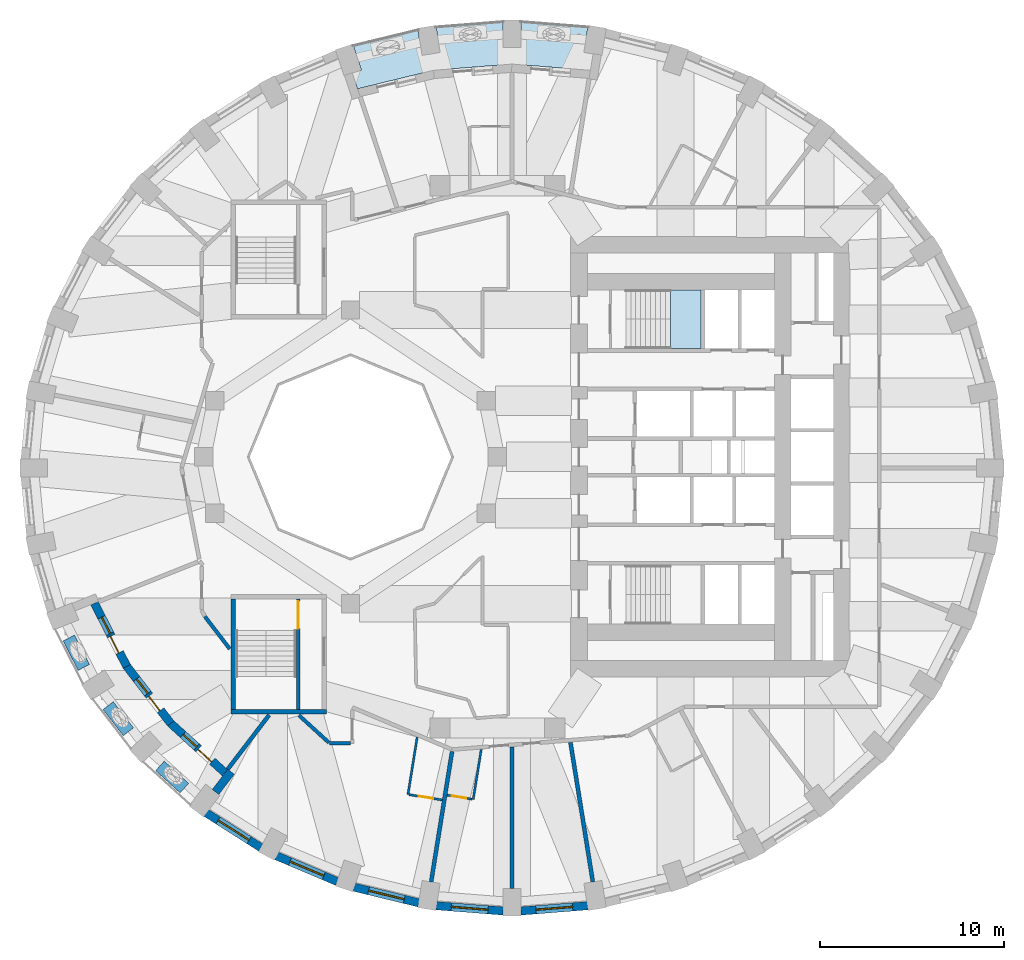
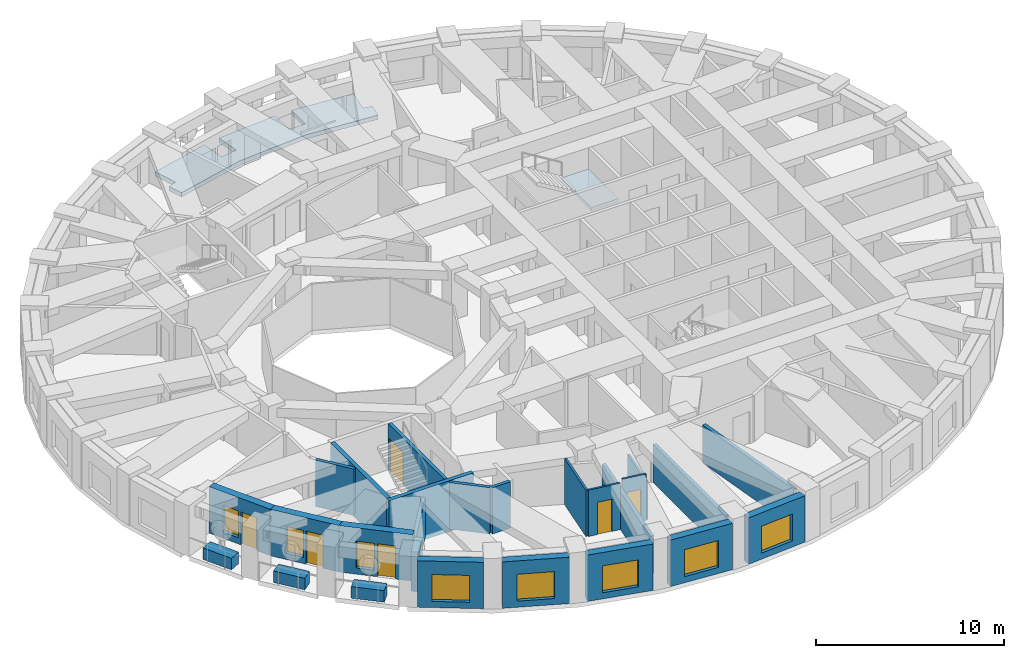
# One storey, part 3 of 12: 26 walls, 8 windows, 6 doors, 2 slabs, 14 openings, 1 element without a shape of its own.
"""IFC4 building model written with IfcOpenShell, lengths in metres."""

from ifc_helpers import new_model, si_unit, direction, frame, frame_2d, origin, place, context, subcontext, project, spatial, polyline, rectangle, outline, extrude, material, layer, layer_set, constituent, constituent_set, type_object, element, fill, aggregate, save


model = new_model("IFC4")

# Units and contexts
model_context = context("Model", 3, precision=1e-05, world=origin(), true_north=direction((0.0, 1.0)))
body_context = subcontext(model_context, "Body", "Model", "MODEL_VIEW")
ifc_project = project(units=[si_unit("LENGTHUNIT", "METRE"), si_unit("AREAUNIT", "SQUARE_METRE"), si_unit("VOLUMEUNIT", "CUBIC_METRE"), si_unit("PLANEANGLEUNIT", "RADIAN"), si_unit("MASSUNIT", "GRAM", prefix="KILO")], contexts=[model_context])

# Site, building, storey
site_placement = place(None, origin())
site = spatial("IfcSite", under=ifc_project, at=site_placement, CompositionType="ELEMENT")
building_placement = place(site_placement, origin())
building = spatial("IfcBuilding", under=site, at=building_placement, Name="Taillehof Tower", CompositionType="ELEMENT")
storey_placement = place(building_placement, frame((0.0, 0.0, 88.89990234375)))
storey = spatial("IfcBuildingStorey", under=building, at=storey_placement, Name="L24", CompositionType="ELEMENT", Elevation=88.89990234375)

# Slab
ifc_material_1 = material(Name="Concrete C40/50", Category="concrete")
ifc_layer_1 = layer(ifc_material_1, 0.280029296875)
ifc_layer_set_1 = layer_set([ifc_layer_1], Name="Balcony slab 280")
slab_type_1 = type_object("IfcSlabType", Name="Balcony slab 280", PredefinedType="USERDEFINED", material=ifc_layer_set_1)
slab_1_placement = place(storey_placement, frame((0.0, 0.0, -0.27978515625)))
element("IfcSlab", 1, at=slab_1_placement, inside=storey, type_object=slab_type_1, Name="Balcony L24 pocket 2", ObjectType="BALCONY", PredefinedType="USERDEFINED", context=body_context, shape_type="SweptSolid", body=[
    extrude(outline(polyline([(-7.611328125, 20.05029296875), (-7.894287109375, 20.905029296875), (-7.399169921875, 21.069091796875), (-7.857666015625, 22.45263671875), (-4.329833984375, 23.313232421875), (-4.098388671875, 21.870849609375), (-3.111083984375, 22.029541015625), (-3.34228515625, 23.469970703125), (0.300048828125, 23.76025390625), (0.300048828125, 22.300048828125), (1.300048828125, 22.300048828125), (1.300048828125, 23.76025390625), (4.942138671875, 23.469970703125), (4.7109375, 22.029541015625), (5.216064453125, 21.9482421875), (5.0732421875, 21.0595703125), (0.800048828125, 21.39990234375), (-3.473388671875, 21.0595703125), (-7.611328125, 20.05029296875)])), origin(), (0.0, 0.0, 1.0), 0.27978515625),
])

# Stair, slab
ifc_material_2 = material(Name="Concrete C40/50", Category="concrete")
stair_type = type_object("IfcStairType", Name="Exit stair half-turn", PredefinedType="HALF_TURN_STAIR", material=ifc_material_2)
stair_placement = place(storey_placement, origin())
stair = element("IfcStair", 2, at=stair_placement, inside=storey, type_object=stair_type, Name="Exit stair S1", PredefinedType="HALF_TURN_STAIR")
ifc_material_3 = material(Name="Concrete C40/50", Category="concrete")
ifc_layer_2 = layer(ifc_material_3, 0.2099609375)
ifc_layer_set_2 = layer_set([ifc_layer_2], Name="Stair landing C40/50 210")
slab_type_2 = type_object("IfcSlabType", Name="Stair landing C40/50 210", PredefinedType="LANDING", material=ifc_layer_set_2)
slab_2_placement = place(storey_placement, frame((0.0, 0.0, 1.440185546875)))
slab_2 = element("IfcSlab", 3, at=slab_2_placement, type_object=slab_type_2, Name="S1 landing 1", PredefinedType="LANDING", context=body_context, shape_type="SweptSolid", body=[
    extrude(outline(polyline([(9.429931640625, 5.89990234375), (11.10009765625, 5.89990234375), (11.10009765625, 9.10009765625), (9.429931640625, 9.10009765625), (9.429931640625, 5.89990234375)])), origin(), (0.0, 0.0, 1.0), 0.2099609375),
])
aggregate(stair, [slab_2])

# Wall, opening, window
ifc_material_4 = material(Name="Brick masonry", Category="masonry")
ifc_layer_3 = layer(ifc_material_4, 0.449951171875)
ifc_layer_set_3 = layer_set([ifc_layer_3], Name="Brick infill wall 450")
wall_type_1 = type_object("IfcWallType", Name="Brick infill wall 450", PredefinedType="SOLIDWALL", material=ifc_layer_set_3)
wall_1_placement = place(storey_placement, frame((-15.856201171875, -19.39208984375, 0.0), z_axis=(0.0, 0.0, 1.0), x_axis=(0.843891947083, -0.53651317006, 0.0)))
wall_1 = element("IfcWall", 4, at=wall_1_placement, inside=storey, type_object=wall_type_1, Name="Brick wall L24 bay 24", PredefinedType="SOLIDWALL", context=body_context, shape_type="SweptSolid", body=[
    extrude(rectangle(XDim=3.531982421875, YDim=0.449951171875, at=frame_2d((1.76611328125, 0.0))), origin(), (0.0, 0.0, 1.0), 3.02001953125),
])
opening_1_placement = place(wall_1_placement, frame((0.76611328125, 0.0, 0.39990234375)))
opening_1 = element("IfcOpeningElement", 5, at=opening_1_placement, cuts=wall_1, Name="Opening W2", PredefinedType="OPENING", context=body_context, shape_type="SweptSolid", body=[
    extrude(rectangle(XDim=2.0, YDim=1.75, at=frame_2d((1.0, 0.875))), frame((0.0, 0.23486328125, 0.0), z_axis=(0.0, -1.0, 0.0), x_axis=(1.0, 0.0, 0.0)), (0.0, 0.0, 1.0), 0.469970703125),
])
ifc_material_5 = material(Name="Aluminium window frame with clear double glazing", Category="aluminium")
window_type_1 = type_object("IfcWindowType", Name="Deep-set window 2000x1750", PartitioningType="SINGLE_PANEL", PredefinedType="WINDOW", material=ifc_material_5)
window_1_placement = place(opening_1_placement, origin())
window_1 = element("IfcWindow", 6, at=window_1_placement, inside=storey, type_object=window_type_1, Name="W2", OverallHeight=1.75, OverallWidth=2.0, PartitioningType="SINGLE_PANEL", PredefinedType="WINDOW", context=body_context, shape_type="SweptSolid", body=[
    extrude(rectangle(XDim=2.0, YDim=1.75, at=frame_2d((1.0, 0.875))), frame((0.0, 0.034912109375, 0.0), z_axis=(0.0, -1.0, 0.0), x_axis=(1.0, 0.0, 0.0)), (0.0, 0.0, 1.0), 0.06005859375),
])
fill(opening_1, window_1)

wall_2_placement = place(storey_placement, frame((-12.025390625, -21.7333984375, 0.0), z_axis=(0.0, 0.0, 1.0), x_axis=(0.920879975612, -0.389846213932, 0.0)))
wall_2 = element("IfcWall", 7, at=wall_2_placement, inside=storey, type_object=wall_type_1, Name="Brick wall L24 bay 25", PredefinedType="SOLIDWALL", context=body_context, shape_type="SweptSolid", body=[
    extrude(rectangle(XDim=3.591552734375, YDim=0.449951171875, at=frame_2d((1.7958984375, 0.0))), origin(), (0.0, 0.0, 1.0), 3.02001953125),
])
opening_2_placement = place(wall_2_placement, frame((0.795654296875, 0.0, 0.39990234375)))
opening_2 = element("IfcOpeningElement", 8, at=opening_2_placement, cuts=wall_2, Name="Opening W2", PredefinedType="OPENING", context=body_context, shape_type="SweptSolid", body=[
    extrude(rectangle(XDim=2.0, YDim=1.75, at=frame_2d((1.0, 0.875))), frame((0.0, 0.23486328125, 0.0), z_axis=(0.0, -1.0, 0.0), x_axis=(1.0, 0.0, 0.0)), (0.0, 0.0, 1.0), 0.469970703125),
])
window_2_placement = place(opening_2_placement, origin())
window_2 = element("IfcWindow", 9, at=window_2_placement, inside=storey, type_object=window_type_1, Name="W2", OverallHeight=1.75, OverallWidth=2.0, PartitioningType="SINGLE_PANEL", PredefinedType="WINDOW", context=body_context, shape_type="SweptSolid", body=[
    extrude(rectangle(XDim=2.0, YDim=1.75, at=frame_2d((1.0, 0.875))), frame((0.0, 0.034912109375, 0.0), z_axis=(0.0, -1.0, 0.0), x_axis=(1.0, 0.0, 0.0)), (0.0, 0.0, 1.0), 0.06005859375),
])
fill(opening_2, window_2)

wall_3_placement = place(storey_placement, frame((-7.806640625, -23.435302734375, 0.0), z_axis=(0.0, 0.0, 1.0), x_axis=(0.971667603162, -0.236351579148, 0.0)))
wall_3 = element("IfcWall", 10, at=wall_3_placement, inside=storey, type_object=wall_type_1, Name="Brick wall L24 bay 26", PredefinedType="SOLIDWALL", context=body_context, shape_type="SweptSolid", body=[
    extrude(rectangle(XDim=3.635009765625, YDim=0.449951171875, at=frame_2d((1.8173828125, 0.0))), origin(), (0.0, 0.0, 1.0), 3.02001953125),
])
opening_3_placement = place(wall_3_placement, frame((0.8173828125, 0.0, 0.39990234375)))
opening_3 = element("IfcOpeningElement", 11, at=opening_3_placement, cuts=wall_3, Name="Opening W2", PredefinedType="OPENING", context=body_context, shape_type="SweptSolid", body=[
    extrude(rectangle(XDim=2.0, YDim=1.75, at=frame_2d((1.0, 0.875))), frame((0.0, 0.23486328125, 0.0), z_axis=(0.0, -1.0, 0.0), x_axis=(1.0, 0.0, 0.0)), (0.0, 0.0, 1.0), 0.469970703125),
])
window_3_placement = place(opening_3_placement, origin())
window_3 = element("IfcWindow", 12, at=window_3_placement, inside=storey, type_object=window_type_1, Name="W2", OverallHeight=1.75, OverallWidth=2.0, PartitioningType="SINGLE_PANEL", PredefinedType="WINDOW", context=body_context, shape_type="SweptSolid", body=[
    extrude(rectangle(XDim=2.0, YDim=1.75, at=frame_2d((1.0, 0.875))), frame((0.0, 0.034912109375, 0.0), z_axis=(0.0, -1.0, 0.0), x_axis=(1.0, 0.0, 0.0)), (0.0, 0.0, 1.0), 0.06005859375),
])
fill(opening_3, window_3)

wall_4_placement = place(storey_placement, frame((-3.32666015625, -24.446533203125, 0.0), z_axis=(0.0, 0.0, 1.0), x_axis=(0.996862216754, -0.079156306178, 0.0)))
wall_4 = element("IfcWall", 13, at=wall_4_placement, inside=storey, type_object=wall_type_1, Name="Brick wall L24 bay 27", PredefinedType="SOLIDWALL", context=body_context, shape_type="SweptSolid", body=[
    extrude(rectangle(XDim=3.657958984375, YDim=0.449951171875, at=frame_2d((1.8291015625, 0.0))), origin(), (0.0, 0.0, 1.0), 3.02001953125),
])
opening_4_placement = place(wall_4_placement, frame((0.8291015625, 0.0, 0.39990234375)))
opening_4 = element("IfcOpeningElement", 14, at=opening_4_placement, cuts=wall_4, Name="Opening W2", PredefinedType="OPENING", context=body_context, shape_type="SweptSolid", body=[
    extrude(rectangle(XDim=2.0, YDim=1.75, at=frame_2d((1.0, 0.875))), frame((0.0, 0.23486328125, 0.0), z_axis=(0.0, -1.0, 0.0), x_axis=(1.0, 0.0, 0.0)), (0.0, 0.0, 1.0), 0.469970703125),
])
window_4_placement = place(opening_4_placement, origin())
window_4 = element("IfcWindow", 15, at=window_4_placement, inside=storey, type_object=window_type_1, Name="W2", OverallHeight=1.75, OverallWidth=2.0, PartitioningType="SINGLE_PANEL", PredefinedType="WINDOW", context=body_context, shape_type="SweptSolid", body=[
    extrude(rectangle(XDim=2.0, YDim=1.75, at=frame_2d((1.0, 0.875))), frame((0.0, 0.034912109375, 0.0), z_axis=(0.0, -1.0, 0.0), x_axis=(1.0, 0.0, 0.0)), (0.0, 0.0, 1.0), 0.06005859375),
])
fill(opening_4, window_4)

wall_5_placement = place(storey_placement, frame((1.280029296875, -24.736083984375, 0.0), z_axis=(0.0, 0.0, 1.0), x_axis=(0.996862216754, 0.079156306178, 0.0)))
wall_5 = element("IfcWall", 16, at=wall_5_placement, inside=storey, type_object=wall_type_1, Name="Brick wall L24 bay 28", PredefinedType="SOLIDWALL", context=body_context, shape_type="SweptSolid", body=[
    extrude(rectangle(XDim=3.657958984375, YDim=0.449951171875, at=frame_2d((1.8291015625, 0.0))), origin(), (0.0, 0.0, 1.0), 3.02001953125),
])
opening_5_placement = place(wall_5_placement, frame((0.8291015625, 0.0, 0.39990234375)))
opening_5 = element("IfcOpeningElement", 17, at=opening_5_placement, cuts=wall_5, Name="Opening W2", PredefinedType="OPENING", context=body_context, shape_type="SweptSolid", body=[
    extrude(rectangle(XDim=2.0, YDim=1.75, at=frame_2d((1.0, 0.875))), frame((0.0, 0.23486328125, 0.0), z_axis=(0.0, -1.0, 0.0), x_axis=(1.0, 0.0, 0.0)), (0.0, 0.0, 1.0), 0.469970703125),
])
window_5_placement = place(opening_5_placement, origin())
window_5 = element("IfcWindow", 18, at=window_5_placement, inside=storey, type_object=window_type_1, Name="W2", OverallHeight=1.75, OverallWidth=2.0, PartitioningType="SINGLE_PANEL", PredefinedType="WINDOW", context=body_context, shape_type="SweptSolid", body=[
    extrude(rectangle(XDim=2.0, YDim=1.75, at=frame_2d((1.0, 0.875))), frame((0.0, 0.034912109375, 0.0), z_axis=(0.0, -1.0, 0.0), x_axis=(1.0, 0.0, 0.0)), (0.0, 0.0, 1.0), 0.06005859375),
])
fill(opening_5, window_5)

# Wall
wall_6_placement = place(storey_placement, frame((-15.349853515625, -18.252685546875, 0.0), z_axis=(0.0, 0.0, 1.0), x_axis=(0.607026495834, 0.794681592435, 0.0)))
element("IfcWall", 19, at=wall_6_placement, inside=storey, type_object=wall_type_1, Name="Brick reveal L24 pocket 6", PredefinedType="SOLIDWALL", context=body_context, shape_type="SweptSolid", body=[
    extrude(rectangle(XDim=1.390869140625, YDim=0.449951171875, at=frame_2d((0.6953125, 0.0))), origin(), (0.0, 0.0, 1.0), 2.570068359375),
])

# Wall, openings, door, window
wall_7_placement = place(storey_placement, frame((-21.9453125, -7.970458984375, 0.0), z_axis=(0.0, 0.0, 1.0), x_axis=(0.455905146579, -0.89002836883, 0.0)))
wall_7 = element("IfcWall", 20, at=wall_7_placement, inside=storey, type_object=wall_type_1, Name="Brick wall L24 pocket bay 21", PredefinedType="SOLIDWALL", context=body_context, shape_type="SweptSolid", body=[
    extrude(rectangle(XDim=3.866943359375, YDim=0.449951171875, at=frame_2d((1.93359375, 0.0))), origin(), (0.0, 0.0, 1.0), 3.02001953125),
])
opening_6_placement = place(wall_7_placement, frame((0.8583984375, 0.0, 0.39990234375)))
opening_6 = element("IfcOpeningElement", 21, at=opening_6_placement, cuts=wall_7, Name="Opening W5", PredefinedType="OPENING", context=body_context, shape_type="SweptSolid", body=[
    extrude(rectangle(XDim=1.0, YDim=1.75, at=frame_2d((0.5, 0.875))), frame((0.0, 0.23486328125, 0.0), z_axis=(0.0, -1.0, 0.0), x_axis=(1.0, 0.0, 0.0)), (0.0, 0.0, 1.0), 0.469970703125),
])
opening_7_placement = place(wall_7_placement, frame((2.008544921875, 0.0, 0.0)))
opening_7 = element("IfcOpeningElement", 22, at=opening_7_placement, cuts=wall_7, Name="Opening D2491", PredefinedType="OPENING", context=body_context, shape_type="SweptSolid", body=[
    extrude(rectangle(XDim=1.0, YDim=2.14990234375, at=frame_2d((0.5, 1.074951171875))), frame((0.0, 0.23486328125, 0.0), z_axis=(0.0, -1.0, 0.0), x_axis=(1.0, 0.0, 0.0)), (0.0, 0.0, 1.0), 0.469970703125),
])
ifc_material_6 = material(Name="Aluminium door frame with clear double glazing", Category="aluminium")
door_type_1 = type_object("IfcDoorType", Name="Balcony door 1000x2150", OperationType="SINGLE_SWING_RIGHT", PredefinedType="DOOR", material=ifc_material_6)
door_1_placement = place(opening_7_placement, frame((1.0, 0.0, 0.0), z_axis=(0.0, 0.0, 1.0), x_axis=(-1.0, 0.0, 0.0)))
door_1 = element("IfcDoor", 23, at=door_1_placement, inside=storey, type_object=door_type_1, Name="Balcony door L24 bay 21", OperationType="SINGLE_SWING_RIGHT", OverallHeight=2.14990234375, OverallWidth=1.0, PredefinedType="DOOR", context=body_context, shape_type="SweptSolid", body=[
    extrude(rectangle(XDim=1.0, YDim=2.14990234375, at=frame_2d((0.5, 1.074951171875))), frame((0.0, 0.0751953125, 0.0), z_axis=(0.0, -1.0, 0.0), x_axis=(1.0, 0.0, 0.0)), (0.0, 0.0, 1.0), 0.050048828125),
])
fill(opening_7, door_1)
ifc_material_7 = material(Name="Aluminium window frame with clear double glazing", Category="aluminium")
window_type_2 = type_object("IfcWindowType", Name="Fixed window 1000x1750", PartitioningType="SINGLE_PANEL", PredefinedType="WINDOW", material=ifc_material_7)
window_6_placement = place(opening_6_placement, origin())
window_6 = element("IfcWindow", 24, at=window_6_placement, inside=storey, type_object=window_type_2, Name="W5", OverallHeight=1.75, OverallWidth=1.0, PartitioningType="SINGLE_PANEL", PredefinedType="WINDOW", context=body_context, shape_type="SweptSolid", body=[
    extrude(rectangle(XDim=1.0, YDim=1.75, at=frame_2d((0.5, 0.875))), frame((0.0, 0.034912109375, 0.0), z_axis=(0.0, -1.0, 0.0), x_axis=(1.0, 0.0, 0.0)), (0.0, 0.0, 1.0), 0.06005859375),
])
fill(opening_6, window_6)

wall_8_placement = place(storey_placement, frame((-20.204345703125, -11.37744140625, 0.0), z_axis=(0.0, 0.0, 1.0), x_axis=(0.609698858135, -0.792633144897, 0.0)))
wall_8 = element("IfcWall", 25, at=wall_8_placement, inside=storey, type_object=wall_type_1, Name="Brick wall L24 pocket bay 22", PredefinedType="SOLIDWALL", context=body_context, shape_type="SweptSolid", body=[
    extrude(rectangle(XDim=3.965087890625, YDim=0.449951171875, at=frame_2d((1.982421875, 0.0))), origin(), (0.0, 0.0, 1.0), 3.02001953125),
])
opening_8_placement = place(wall_8_placement, frame((0.907470703125, 0.0, 0.39990234375)))
opening_8 = element("IfcOpeningElement", 26, at=opening_8_placement, cuts=wall_8, Name="Opening W5", PredefinedType="OPENING", context=body_context, shape_type="SweptSolid", body=[
    extrude(rectangle(XDim=1.0, YDim=1.75, at=frame_2d((0.5, 0.875))), frame((0.0, 0.23486328125, 0.0), z_axis=(0.0, -1.0, 0.0), x_axis=(1.0, 0.0, 0.0)), (0.0, 0.0, 1.0), 0.469970703125),
])
opening_9_placement = place(wall_8_placement, frame((2.0576171875, 0.0, 0.0)))
opening_9 = element("IfcOpeningElement", 27, at=opening_9_placement, cuts=wall_8, Name="Opening D2492", PredefinedType="OPENING", context=body_context, shape_type="SweptSolid", body=[
    extrude(rectangle(XDim=1.0, YDim=2.14990234375, at=frame_2d((0.5, 1.074951171875))), frame((0.0, 0.23486328125, 0.0), z_axis=(0.0, -1.0, 0.0), x_axis=(1.0, 0.0, 0.0)), (0.0, 0.0, 1.0), 0.469970703125),
])
door_2_placement = place(opening_9_placement, frame((1.0, 0.0, 0.0), z_axis=(0.0, 0.0, 1.0), x_axis=(-1.0, 0.0, 0.0)))
door_2 = element("IfcDoor", 28, at=door_2_placement, inside=storey, type_object=door_type_1, Name="Balcony door L24 bay 22", OperationType="SINGLE_SWING_LEFT", OverallHeight=2.14990234375, OverallWidth=1.0, PredefinedType="DOOR", context=body_context, shape_type="SweptSolid", body=[
    extrude(rectangle(XDim=1.0, YDim=2.14990234375, at=frame_2d((0.5, 1.074951171875))), frame((0.0, 0.0751953125, 0.0), z_axis=(0.0, -1.0, 0.0), x_axis=(1.0, 0.0, 0.0)), (0.0, 0.0, 1.0), 0.050048828125),
])
fill(opening_9, door_2)
window_7_placement = place(opening_8_placement, origin())
window_7 = element("IfcWindow", 29, at=window_7_placement, inside=storey, type_object=window_type_2, Name="W5", OverallHeight=1.75, OverallWidth=1.0, PartitioningType="SINGLE_PANEL", PredefinedType="WINDOW", context=body_context, shape_type="SweptSolid", body=[
    extrude(rectangle(XDim=1.0, YDim=1.75, at=frame_2d((0.5, 0.875))), frame((0.0, 0.034912109375, 0.0), z_axis=(0.0, -1.0, 0.0), x_axis=(1.0, 0.0, 0.0)), (0.0, 0.0, 1.0), 0.06005859375),
])
fill(opening_8, window_7)

wall_9_placement = place(storey_placement, frame((-17.813720703125, -14.4912109375, 0.0), z_axis=(0.0, 0.0, 1.0), x_axis=(0.73951517403, -0.673139886933, 0.0)))
wall_9 = element("IfcWall", 30, at=wall_9_placement, inside=storey, type_object=wall_type_1, Name="Brick wall L24 pocket bay 23", PredefinedType="SOLIDWALL", context=body_context, shape_type="SweptSolid", body=[
    extrude(rectangle(XDim=4.03125, YDim=0.449951171875, at=frame_2d((2.015625, 0.0))), origin(), (0.0, 0.0, 1.0), 3.02001953125),
])
opening_10_placement = place(wall_9_placement, frame((0.940673828125, 0.0, 0.39990234375)))
opening_10 = element("IfcOpeningElement", 31, at=opening_10_placement, cuts=wall_9, Name="Opening W5", PredefinedType="OPENING", context=body_context, shape_type="SweptSolid", body=[
    extrude(rectangle(XDim=1.0, YDim=1.75, at=frame_2d((0.5, 0.875))), frame((0.0, 0.23486328125, 0.0), z_axis=(0.0, -1.0, 0.0), x_axis=(1.0, 0.0, 0.0)), (0.0, 0.0, 1.0), 0.469970703125),
])
opening_11_placement = place(wall_9_placement, frame((2.090576171875, 0.0, 0.0)))
opening_11 = element("IfcOpeningElement", 32, at=opening_11_placement, cuts=wall_9, Name="Opening D2493", PredefinedType="OPENING", context=body_context, shape_type="SweptSolid", body=[
    extrude(rectangle(XDim=1.0, YDim=2.14990234375, at=frame_2d((0.5, 1.074951171875))), frame((0.0, 0.23486328125, 0.0), z_axis=(0.0, -1.0, 0.0), x_axis=(1.0, 0.0, 0.0)), (0.0, 0.0, 1.0), 0.469970703125),
])
door_3_placement = place(opening_11_placement, frame((1.0, 0.0, 0.0), z_axis=(0.0, 0.0, 1.0), x_axis=(-1.0, 0.0, 0.0)))
door_3 = element("IfcDoor", 33, at=door_3_placement, inside=storey, type_object=door_type_1, Name="Balcony door L24 bay 23", OperationType="SINGLE_SWING_LEFT", OverallHeight=2.14990234375, OverallWidth=1.0, PredefinedType="DOOR", context=body_context, shape_type="SweptSolid", body=[
    extrude(rectangle(XDim=1.0, YDim=2.14990234375, at=frame_2d((0.5, 1.074951171875))), frame((0.0, 0.0751953125, 0.0), z_axis=(0.0, -1.0, 0.0), x_axis=(1.0, 0.0, 0.0)), (0.0, 0.0, 1.0), 0.050048828125),
])
fill(opening_11, door_3)
window_8_placement = place(opening_10_placement, origin())
window_8 = element("IfcWindow", 34, at=window_8_placement, inside=storey, type_object=window_type_2, Name="W5", OverallHeight=1.75, OverallWidth=1.0, PartitioningType="SINGLE_PANEL", PredefinedType="WINDOW", context=body_context, shape_type="SweptSolid", body=[
    extrude(rectangle(XDim=1.0, YDim=1.75, at=frame_2d((0.5, 0.875))), frame((0.0, 0.034912109375, 0.0), z_axis=(0.0, -1.0, 0.0), x_axis=(1.0, 0.0, 0.0)), (0.0, 0.0, 1.0), 0.06005859375),
])
fill(opening_10, window_8)

# Walls
ifc_material_8 = material(Name="Gypsum board on steel studs, two layers each side", Category="steel")
ifc_layer_4 = layer(ifc_material_8, 0.199951171875)
ifc_layer_set_4 = layer_set([ifc_layer_4], Name="Compartment wall corridor 200")
wall_type_2 = type_object("IfcWallType", Name="Compartment wall corridor 200", PredefinedType="PARTITIONING", material=ifc_layer_set_4)
wall_10_placement = place(storey_placement, frame((-14.573486328125, -10.4560546875, 0.0), z_axis=(0.0, 0.0, 1.0), x_axis=(-0.60967360535, 0.792652568872, 0.0)))
element("IfcWall", 35, at=wall_10_placement, inside=storey, type_object=wall_type_2, Name="Compartment wall", PredefinedType="PARTITIONING", context=body_context, shape_type="SweptSolid", body=[
    extrude(rectangle(XDim=2.222900390625, YDim=0.199951171875, at=frame_2d((1.111328125, 0.0))), origin(), (0.0, 0.0, 1.0), 3.02001953125),
])
wall_11_placement = place(storey_placement, frame((-8.0, -15.60009765625, 0.0), z_axis=(0.0, 0.0, 1.0), x_axis=(-1.0, 0.0, 0.0)))
element("IfcWall", 36, at=wall_11_placement, inside=storey, type_object=wall_type_2, Name="Compartment wall", PredefinedType="PARTITIONING", context=body_context, shape_type="SweptSolid", body=[
    extrude(rectangle(XDim=1.130859375, YDim=0.199951171875, at=frame_2d((0.5654296875, 0.0))), origin(), (0.0, 0.0, 1.0), 3.02001953125),
])
wall_12_placement = place(storey_placement, frame((-9.175537109375, -15.559814453125, 0.0), z_axis=(0.0, 0.0, 1.0), x_axis=(-0.73943556447, 0.673227336044, 0.0)))
element("IfcWall", 37, at=wall_12_placement, inside=storey, type_object=wall_type_2, Name="Compartment wall", PredefinedType="PARTITIONING", context=body_context, shape_type="SweptSolid", body=[
    extrude(rectangle(XDim=2.21240234375, YDim=0.199951171875, at=frame_2d((1.106201171875, 0.0))), origin(), (0.0, 0.0, 1.0), 3.02001953125),
])
ifc_material_9 = material(Name="Gypsum board on double steel studs with mineral wool", Category="steel")
ifc_layer_5 = layer(ifc_material_9, 0.219970703125)
ifc_layer_set_5 = layer_set([ifc_layer_5], Name="Compartment wall guest room 220")
wall_type_3 = type_object("IfcWallType", Name="Compartment wall guest room 220", PredefinedType="PARTITIONING", material=ifc_layer_set_5)
wall_13_placement = place(storey_placement, frame((-14.695556640625, -17.025390625, 0.0), z_axis=(0.0, 0.0, 1.0), x_axis=(0.607059278405, 0.794656550028, 0.0)))
element("IfcWall", 38, at=wall_13_placement, inside=storey, type_object=wall_type_3, Name="Compartment wall", PredefinedType="PARTITIONING", context=body_context, shape_type="SweptSolid", body=[
    extrude(rectangle(XDim=3.733642578125, YDim=0.219970703125, at=frame_2d((1.86669921875, 0.0))), origin(), (0.0, 0.0, 1.0), 2.570068359375),
])
wall_14_placement = place(storey_placement, frame((-3.604736328125, -23.150146484375, 0.0), z_axis=(0.0, 0.0, 1.0), x_axis=(0.158533314299, 0.987353628776, 0.0)))
element("IfcWall", 39, at=wall_14_placement, inside=storey, type_object=wall_type_3, Name="Compartment wall", PredefinedType="PARTITIONING", context=body_context, shape_type="SweptSolid", body=[
    extrude(rectangle(XDim=7.19189453125, YDim=0.219970703125, at=frame_2d((3.595947265625, 0.0))), origin(), (0.0, 0.0, 1.0), 2.47021484375),
])
for number, where, z_axis, x_axis, name in (
    (40, (0.800048828125, -23.5, 0.0), (0.0, 0.0, 1.0), (0.0, 1.0, 0.0), "Compartment wall"),
    (41, (5.20458984375, -23.150146484375, 0.0), (0.0, 0.0, 1.0), (-0.15849643951, 0.987359548828, 0.0), "Compartment wall"),
):
    element("IfcWall", number, at=place(storey_placement, frame(where, z_axis=z_axis, x_axis=x_axis)), inside=storey, type_object=wall_type_3, Name=name, PredefinedType="PARTITIONING", context=body_context, shape_type="SweptSolid", body=[
        extrude(rectangle(XDim=7.697265625, YDim=0.219970703125, at=frame_2d((3.8486328125, 0.0))), origin(), (0.0, 0.0, 1.0), 2.47021484375),
    ])
ifc_material_10 = material(Name="Gypsum board on steel studs, moisture resistant", Category="steel")
ifc_layer_6 = layer(ifc_material_10, 0.1201171875)
ifc_layer_set_6 = layer_set([ifc_layer_6], Name="En-suite wall 120")
wall_type_4 = type_object("IfcWallType", Name="En-suite wall 120", PredefinedType="PARTITIONING", material=ifc_layer_set_6)
wall_15_placement = place(storey_placement, frame((-4.364501953125, -15.265625, 0.0), z_axis=(0.0, 0.0, 1.0), x_axis=(-0.158535604942, -0.987353260979, 0.0)))
element("IfcWall", 42, at=wall_15_placement, inside=storey, type_object=wall_type_4, Name="En-suite wall", PredefinedType="PARTITIONING", context=body_context, shape_type="SweptSolid", body=[
    extrude(rectangle(XDim=3.16162109375, YDim=0.1201171875, at=frame_2d((1.580810546875, 0.0))), origin(), (0.0, 0.0, 1.0), 3.02001953125),
])
wall_16_placement = place(storey_placement, frame((-0.87646484375, -15.93505859375, 0.0), z_axis=(0.0, 0.0, 1.0), x_axis=(-0.158529926442, -0.987354172738, 0.0)))
element("IfcWall", 43, at=wall_16_placement, inside=storey, type_object=wall_type_4, Name="En-suite wall", PredefinedType="PARTITIONING", context=body_context, shape_type="SweptSolid", body=[
    extrude(rectangle(XDim=2.753662109375, YDim=0.1201171875, at=frame_2d((1.376953125, 0.0))), origin(), (0.0, 0.0, 1.0), 2.47021484375),
])

# Wall, opening, door
wall_17_placement = place(storey_placement, frame((-4.806396484375, -18.396728515625, 0.0), z_axis=(0.0, 0.0, 1.0), x_axis=(0.987339700129, -0.158620038299, 0.0)))
wall_17 = element("IfcWall", 44, at=wall_17_placement, inside=storey, type_object=wall_type_4, Name="En-suite wall", PredefinedType="PARTITIONING", context=body_context, shape_type="SweptSolid", body=[
    extrude(rectangle(XDim=1.830078125, YDim=0.1201171875, at=frame_2d((0.9150390625, 0.0))), origin(), (0.0, 0.0, 1.0), 3.02001953125),
])
opening_12_placement = place(wall_17_placement, frame((0.5400390625, 0.0, 0.0)))
opening_12 = element("IfcOpeningElement", 45, at=opening_12_placement, cuts=wall_17, Name="Opening D2454", PredefinedType="OPENING", context=body_context, shape_type="SweptSolid", body=[
    extrude(rectangle(XDim=0.800048828125, YDim=2.10009765625, at=frame_2d((0.39990234375, 1.050048828125))), frame((0.0, 0.070068359375, 0.0), z_axis=(0.0, -1.0, 0.0), x_axis=(1.0, 0.0, 0.0)), (0.0, 0.0, 1.0), 0.14013671875),
])
ifc_material_11 = material(Name="Timber door leaf in steel frame", Category="steel")
door_type_2 = type_object("IfcDoorType", Name="En-suite door 800 x 2100", OperationType="SINGLE_SWING_LEFT", PredefinedType="DOOR", material=ifc_material_11)
door_4_placement = place(opening_12_placement, origin())
door_4 = element("IfcDoor", 46, at=door_4_placement, inside=storey, type_object=door_type_2, Name="D2454", OperationType="SINGLE_SWING_RIGHT", OverallHeight=2.10009765625, OverallWidth=0.800048828125, PredefinedType="DOOR", context=body_context, shape_type="SweptSolid", body=[
    extrude(rectangle(XDim=0.800048828125, YDim=2.10009765625, at=frame_2d((0.39990234375, 1.050048828125))), frame((0.0, 0.02490234375, 0.0), z_axis=(0.0, -1.0, 0.0), x_axis=(1.0, 0.0, 0.0)), (0.0, 0.0, 1.0), 0.050048828125),
])
fill(opening_12, door_4)

wall_18_placement = place(storey_placement, frame((-1.372314453125, -18.644287109375, 0.0), z_axis=(0.0, 0.0, 1.0), x_axis=(-0.987324430422, 0.158715056288, 0.0)))
wall_18 = element("IfcWall", 47, at=wall_18_placement, inside=storey, type_object=wall_type_4, Name="En-suite wall", PredefinedType="PARTITIONING", context=body_context, shape_type="SweptSolid", body=[
    extrude(rectangle(XDim=1.3798828125, YDim=0.1201171875, at=frame_2d((0.68994140625, 0.0))), origin(), (0.0, 0.0, 1.0), 3.02001953125),
])
opening_13_placement = place(wall_18_placement, frame((0.31494140625, 0.0, 0.0)))
opening_13 = element("IfcOpeningElement", 48, at=opening_13_placement, cuts=wall_18, Name="Opening D2456", PredefinedType="OPENING", context=body_context, shape_type="SweptSolid", body=[
    extrude(rectangle(XDim=0.800048828125, YDim=2.10009765625, at=frame_2d((0.39990234375, 1.050048828125))), frame((0.0, 0.070068359375, 0.0), z_axis=(0.0, -1.0, 0.0), x_axis=(1.0, 0.0, 0.0)), (0.0, 0.0, 1.0), 0.14013671875),
])
door_5_placement = place(opening_13_placement, origin())
door_5 = element("IfcDoor", 49, at=door_5_placement, inside=storey, type_object=door_type_2, Name="D2456", OperationType="SINGLE_SWING_RIGHT", OverallHeight=2.10009765625, OverallWidth=0.800048828125, PredefinedType="DOOR", context=body_context, shape_type="SweptSolid", body=[
    extrude(rectangle(XDim=0.800048828125, YDim=2.10009765625, at=frame_2d((0.39990234375, 1.050048828125))), frame((0.0, 0.02490234375, 0.0), z_axis=(0.0, -1.0, 0.0), x_axis=(1.0, 0.0, 0.0)), (0.0, 0.0, 1.0), 0.050048828125),
])
fill(opening_13, door_5)

# Walls
ifc_material_12 = material(Name="Concrete C30/37 precast", Category="concrete")
ifc_constituent_1 = constituent(ifc_material_12, Name="Structure", Category="concrete")
ifc_material_13 = material(Name="Insulated lining")
ifc_constituent_2 = constituent(ifc_material_13, Name="Lining")
ifc_constituent_set = constituent_set(constituents=[ifc_constituent_1, ifc_constituent_2], Name="Planter trough 700x750")
wall_type_5 = type_object("IfcWallType", Name="Planter trough 700x750", PredefinedType="USERDEFINED", material=ifc_constituent_set)
wall_19_placement = place(storey_placement, frame((-23.341796875, -9.863525390625, 0.0), z_axis=(0.0, 0.0, 1.0), x_axis=(0.456845298981, -0.88954616114, 0.0)))
element("IfcWall", 50, at=wall_19_placement, inside=storey, type_object=wall_type_5, Name="Planter L24 bay 21", ObjectType="PLANTER", PredefinedType="USERDEFINED", context=body_context, shape_type="SweptSolid", body=[
    extrude(rectangle(XDim=1.7998046875, YDim=0.699951171875, at=frame_2d((0.89990234375, 0.0))), origin(), (0.0, 0.0, 1.0), 0.75),
])
wall_20_placement = place(storey_placement, frame((-21.19580078125, -13.54443359375, 0.0), z_axis=(0.0, 0.0, 1.0), x_axis=(0.610686846919, -0.791872196127, 0.0)))
element("IfcWall", 51, at=wall_20_placement, inside=storey, type_object=wall_type_5, Name="Planter L24 bay 22", ObjectType="PLANTER", PredefinedType="USERDEFINED", context=body_context, shape_type="SweptSolid", body=[
    extrude(rectangle(XDim=1.80029296875, YDim=0.699951171875, at=frame_2d((0.900146484375, 0.0))), origin(), (0.0, 0.0, 1.0), 0.75),
])
wall_21_placement = place(storey_placement, frame((-18.376708984375, -16.8291015625, 0.0), z_axis=(0.0, 0.0, 1.0), x_axis=(0.740332755969, -0.6722405897, 0.0)))
element("IfcWall", 52, at=wall_21_placement, inside=storey, type_object=wall_type_5, Name="Planter L24 bay 23", ObjectType="PLANTER", PredefinedType="USERDEFINED", context=body_context, shape_type="SweptSolid", body=[
    extrude(rectangle(XDim=1.7998046875, YDim=0.699951171875, at=frame_2d((0.89990234375, 0.0))), origin(), (0.0, 0.0, 1.0), 0.75),
])

# Wall, opening, door
ifc_material_14 = material(Name="Concrete C50/60", Category="concrete")
ifc_layer_7 = layer(ifc_material_14, 0.199951171875)
ifc_layer_set_7 = layer_set([ifc_layer_7], Name="Shaft wall C50/60 200")
wall_type_6 = type_object("IfcWallType", Name="Shaft wall C50/60 200", PredefinedType="SHEAR", material=ifc_layer_set_7)
wall_22_placement = place(storey_placement, frame((-10.85009765625, -13.75, 0.0), z_axis=(0.0, 0.0, 1.0), x_axis=(0.0, 1.0, 0.0)))
wall_22 = element("IfcWall", 53, at=wall_22_placement, inside=storey, type_object=wall_type_6, Name="Shaft wall SW", PredefinedType="SHEAR", context=body_context, shape_type="SweptSolid", body=[
    extrude(rectangle(XDim=6.0, YDim=0.199951171875, at=frame_2d((3.0, 0.0))), origin(), (0.0, 0.0, 1.0), 3.02001953125),
])
opening_14_placement = place(wall_22_placement, frame((4.39990234375, 0.0, 0.0)))
opening_14 = element("IfcOpeningElement", 54, at=opening_14_placement, cuts=wall_22, Name="Opening D2413", PredefinedType="OPENING", context=body_context, shape_type="SweptSolid", body=[
    extrude(rectangle(XDim=1.5, YDim=2.10009765625, at=frame_2d((0.75, 1.050048828125))), frame((0.0, 0.10986328125, 0.0), z_axis=(0.0, -1.0, 0.0), x_axis=(1.0, 0.0, 0.0)), (0.0, 0.0, 1.0), 0.219970703125),
])
ifc_material_15 = material(Name="Steel-faced fire door", Category="steel")
door_type_3 = type_object("IfcDoorType", Name="Stair door 1500x2100", OperationType="DOUBLE_DOOR_SINGLE_SWING", PredefinedType="DOOR", material=ifc_material_15)
door_6_placement = place(opening_14_placement, origin())
door_6 = element("IfcDoor", 55, at=door_6_placement, inside=storey, type_object=door_type_3, Name="Stair lobby door S4", OperationType="DOUBLE_DOOR_SINGLE_SWING", OverallHeight=2.10009765625, OverallWidth=1.5, PredefinedType="DOOR", context=body_context, shape_type="SweptSolid", body=[
    extrude(rectangle(XDim=1.5, YDim=2.10009765625, at=frame_2d((0.75, 1.050048828125))), frame((0.0, 0.02490234375, 0.0), z_axis=(0.0, -1.0, 0.0), x_axis=(1.0, 0.0, 0.0)), (0.0, 0.0, 1.0), 0.050048828125),
])
fill(opening_14, door_6)

# Walls
ifc_material_16 = material(Name="Concrete C50/60", Category="concrete")
ifc_layer_8 = layer(ifc_material_16, 0.25)
ifc_layer_set_8 = layer_set([ifc_layer_8], Name="Stair wall C50/60 250")
wall_type_7 = type_object("IfcWallType", Name="Stair wall C50/60 250", PredefinedType="SHEAR", material=ifc_layer_set_8)
wall_23_placement = place(storey_placement, frame((-14.375, -13.75, -0.27978515625), z_axis=(0.0, 0.0, 1.0), x_axis=(0.0, 1.0, 0.0)))
element("IfcWall", 56, at=wall_23_placement, inside=storey, type_object=wall_type_7, Name="Stair wall SC", PredefinedType="SHEAR", context=body_context, shape_type="SweptSolid", body=[
    extrude(rectangle(XDim=6.0, YDim=0.25, at=frame_2d((3.0, 0.0))), origin(), (0.0, 0.0, 1.0), 3.2998046875),
])
wall_24_placement = place(storey_placement, frame((-14.5, -13.875, -0.27978515625), z_axis=(0.0, 0.0, 1.0), x_axis=(1.0, 0.0, 0.0)))
element("IfcWall", 57, at=wall_24_placement, inside=storey, type_object=wall_type_7, Name="Stair wall SC", PredefinedType="SHEAR", context=body_context, shape_type="SweptSolid", body=[
    extrude(rectangle(XDim=5.199951171875, YDim=0.25, at=frame_2d((2.60009765625, 0.0))), origin(), (0.0, 0.0, 1.0), 3.2998046875),
])

save(model, "model.ifc")
